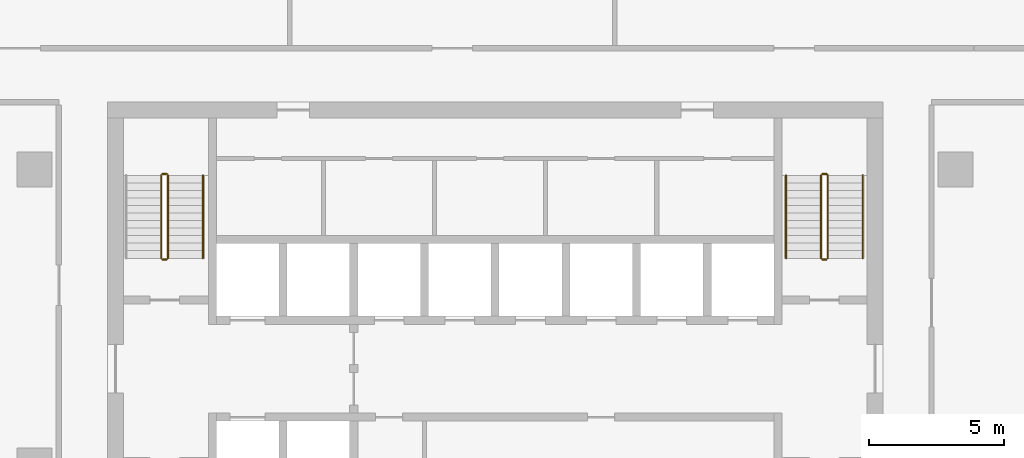
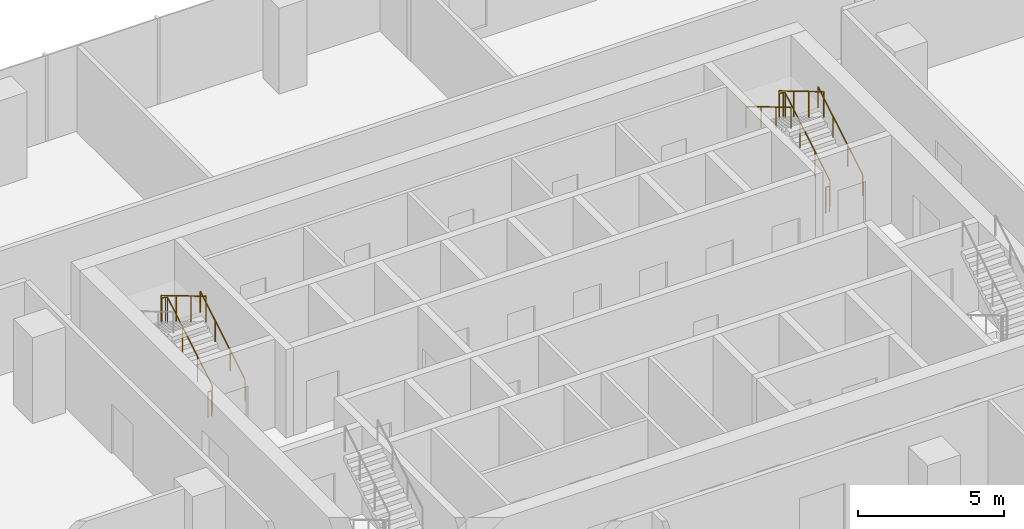
# One storey, part 13 of 14: 9 railings.
"""IFC4 building model written with IfcOpenShell, lengths in metres."""

from ifc_helpers import new_model, si_unit, direction, frame, origin, origin_2d, place, context, subcontext, project, spatial, circle, extrude, material, type_object, element, save


model = new_model("IFC4")

# Units and contexts
model_context = context("Model", 3, precision=1e-05, world=origin(), true_north=direction((0.0, 1.0)))
body_context = subcontext(model_context, "Body", "Model", "MODEL_VIEW")
ifc_project = project(units=[si_unit("LENGTHUNIT", "METRE"), si_unit("AREAUNIT", "SQUARE_METRE"), si_unit("VOLUMEUNIT", "CUBIC_METRE"), si_unit("PLANEANGLEUNIT", "RADIAN"), si_unit("MASSUNIT", "GRAM", prefix="KILO")], contexts=[model_context])

# Site, building, storey
site_placement = place(None, origin())
site = spatial("IfcSite", under=ifc_project, at=site_placement, CompositionType="ELEMENT")
building_placement = place(site_placement, origin())
building = spatial("IfcBuilding", under=site, at=building_placement, Name="Mopane Tessera Tower", CompositionType="ELEMENT")
storey_placement = place(building_placement, frame((0.0, 0.0, 239.0)))
storey = spatial("IfcBuildingStorey", under=building, at=storey_placement, Name="L51", CompositionType="ELEMENT", Elevation=239.0)

# Railings
ifc_material_1 = material(Name="Powder-coated steel balustrade", Category="steel")
railing_type_1 = type_object("IfcRailingType", Name="Escape stair guard 1100 mm", PredefinedType="GUARDRAIL", material=ifc_material_1)
railing_1_placement = place(storey_placement, frame((-12.14990234375, 7.699951171875, 0.166748046875)))
element("IfcRailing", 1, at=railing_1_placement, inside=storey, type_object=railing_type_1, Name="L51 ST2 stair guard 1", PredefinedType="GUARDRAIL", context=body_context, shape_type="SweptSolid", body=[
    extrude(circle(Radius=0.02392578125, at=origin_2d()), frame((0.0, 0.0, 1.076171875), z_axis=(0.0, 0.859308565015, 0.511457515432), x_axis=(-1.0, 0.0, 0.0)), (0.0, 0.0, 1.0), 3.58447265625),
    extrude(circle(Radius=0.02392578125, at=origin_2d()), frame((0.0, 3.080078125, 2.9091796875), z_axis=(-0.707106781187, 0.707106781187, 0.0), x_axis=(-0.707106781187, -0.707106781187, 0.0)), (0.0, 0.0, 1.0), 0.07080078125),
    extrude(circle(Radius=0.02392578125, at=origin_2d()), frame((-0.050048828125, 3.130126953125, 2.9091796875), z_axis=(-1.0, 0.0, 0.0), x_axis=(0.0, -1.0, 0.0)), (0.0, 0.0, 1.0), 0.150146484375),
    extrude(circle(Radius=0.02099609375, at=origin_2d()), origin(), (0.0, 0.0, 1.0), 1.052001953125),
    extrude(circle(Radius=0.02099609375, at=origin_2d()), frame((0.0, 1.026611328125, 0.611083984375)), (0.0, 0.0, 1.0), 1.052001953125),
    extrude(circle(Radius=0.02099609375, at=origin_2d()), frame((0.0, 2.053466796875, 1.22216796875)), (0.0, 0.0, 1.0), 1.052001953125),
    extrude(circle(Radius=0.02099609375, at=origin_2d()), frame((0.0, 3.080078125, 1.833251953125)), (0.0, 0.0, 1.0), 1.052001953125),
    extrude(circle(Radius=0.02099609375, at=origin_2d()), frame((-0.050048828125, 3.130126953125, 1.833251953125)), (0.0, 0.0, 1.0), 1.052001953125),
    extrude(circle(Radius=0.02099609375, at=origin_2d()), frame((-0.2001953125, 3.130126953125, 1.833251953125)), (0.0, 0.0, 1.0), 1.052001953125),
])
railing_2_placement = place(storey_placement, frame((-12.39990234375, 10.780029296875, 2.166748046875)))
element("IfcRailing", 2, at=railing_2_placement, inside=storey, type_object=railing_type_1, Name="L51 ST2 stair guard 2", PredefinedType="GUARDRAIL", context=body_context, shape_type="SweptSolid", body=[
    extrude(circle(Radius=0.02392578125, at=origin_2d()), frame((0.0, 0.0, 1.076171875), z_axis=(0.0, -0.859308565015, 0.511457515432), x_axis=(1.0, 0.0, 0.0)), (0.0, 0.0, 1.0), 3.58447265625),
    extrude(circle(Radius=0.02099609375, at=origin_2d()), origin(), (0.0, 0.0, 1.0), 1.052001953125),
    extrude(circle(Radius=0.02099609375, at=origin_2d()), frame((0.0, -1.026611328125, 0.611083984375)), (0.0, 0.0, 1.0), 1.052001953125),
    extrude(circle(Radius=0.02099609375, at=origin_2d()), frame((0.0, -2.053466796875, 1.22216796875)), (0.0, 0.0, 1.0), 1.052001953125),
    extrude(circle(Radius=0.02099609375, at=origin_2d()), frame((0.0, -3.080078125, 1.833251953125)), (0.0, 0.0, 1.0), 1.052001953125),
])
railing_3_placement = place(storey_placement, frame((-12.199951171875, 7.64990234375, 0.0)))
element("IfcRailing", 3, at=railing_3_placement, inside=storey, type_object=railing_type_1, Name="L51 ST2 stair guard 3", PredefinedType="GUARDRAIL", context=body_context, shape_type="SweptSolid", body=[
    extrude(circle(Radius=0.02392578125, at=origin_2d()), frame((0.0, 0.0, 1.076171875), z_axis=(-1.0, 0.0, 0.0), x_axis=(0.0, -1.0, 0.0)), (0.0, 0.0, 1.0), 0.150146484375),
    extrude(circle(Radius=0.02099609375, at=origin_2d()), origin(), (0.0, 0.0, 1.0), 1.052001953125),
    extrude(circle(Radius=0.02099609375, at=origin_2d()), frame((-0.150146484375, 0.0, 0.0)), (0.0, 0.0, 1.0), 1.052001953125),
])
railing_4_placement = place(storey_placement, frame((12.35009765625, 7.699951171875, 0.166748046875)))
element("IfcRailing", 4, at=railing_4_placement, inside=storey, type_object=railing_type_1, Name="L51 ST4 stair guard 1", PredefinedType="GUARDRAIL", context=body_context, shape_type="SweptSolid", body=[
    extrude(circle(Radius=0.02392578125, at=origin_2d()), frame((0.0, 0.0, 1.076171875), z_axis=(0.0, 0.859308565015, 0.511457515432), x_axis=(-1.0, 0.0, 0.0)), (0.0, 0.0, 1.0), 3.58447265625),
    extrude(circle(Radius=0.02392578125, at=origin_2d()), frame((0.0, 3.080078125, 2.9091796875), z_axis=(-0.707106781187, 0.707106781187, 0.0), x_axis=(-0.707106781187, -0.707106781187, 0.0)), (0.0, 0.0, 1.0), 0.07080078125),
    extrude(circle(Radius=0.02392578125, at=origin_2d()), frame((-0.050048828125, 3.130126953125, 2.9091796875), z_axis=(-1.0, 0.0, 0.0), x_axis=(0.0, -1.0, 0.0)), (0.0, 0.0, 1.0), 0.150146484375),
    extrude(circle(Radius=0.02099609375, at=origin_2d()), origin(), (0.0, 0.0, 1.0), 1.052001953125),
    extrude(circle(Radius=0.02099609375, at=origin_2d()), frame((0.0, 1.026611328125, 0.611083984375)), (0.0, 0.0, 1.0), 1.052001953125),
    extrude(circle(Radius=0.02099609375, at=origin_2d()), frame((0.0, 2.053466796875, 1.22216796875)), (0.0, 0.0, 1.0), 1.052001953125),
    extrude(circle(Radius=0.02099609375, at=origin_2d()), frame((0.0, 3.080078125, 1.833251953125)), (0.0, 0.0, 1.0), 1.052001953125),
    extrude(circle(Radius=0.02099609375, at=origin_2d()), frame((-0.050048828125, 3.130126953125, 1.833251953125)), (0.0, 0.0, 1.0), 1.052001953125),
    extrude(circle(Radius=0.02099609375, at=origin_2d()), frame((-0.2001953125, 3.130126953125, 1.833251953125)), (0.0, 0.0, 1.0), 1.052001953125),
])
railing_5_placement = place(storey_placement, frame((12.10009765625, 10.780029296875, 2.166748046875)))
element("IfcRailing", 5, at=railing_5_placement, inside=storey, type_object=railing_type_1, Name="L51 ST4 stair guard 2", PredefinedType="GUARDRAIL", context=body_context, shape_type="SweptSolid", body=[
    extrude(circle(Radius=0.02392578125, at=origin_2d()), frame((0.0, 0.0, 1.076171875), z_axis=(0.0, -0.859308565015, 0.511457515432), x_axis=(1.0, 0.0, 0.0)), (0.0, 0.0, 1.0), 3.58447265625),
    extrude(circle(Radius=0.02099609375, at=origin_2d()), origin(), (0.0, 0.0, 1.0), 1.052001953125),
    extrude(circle(Radius=0.02099609375, at=origin_2d()), frame((0.0, -1.026611328125, 0.611083984375)), (0.0, 0.0, 1.0), 1.052001953125),
    extrude(circle(Radius=0.02099609375, at=origin_2d()), frame((0.0, -2.053466796875, 1.22216796875)), (0.0, 0.0, 1.0), 1.052001953125),
    extrude(circle(Radius=0.02099609375, at=origin_2d()), frame((0.0, -3.080078125, 1.833251953125)), (0.0, 0.0, 1.0), 1.052001953125),
])
railing_6_placement = place(storey_placement, frame((12.300048828125, 7.64990234375, 0.0)))
element("IfcRailing", 6, at=railing_6_placement, inside=storey, type_object=railing_type_1, Name="L51 ST4 stair guard 3", PredefinedType="GUARDRAIL", context=body_context, shape_type="SweptSolid", body=[
    extrude(circle(Radius=0.02392578125, at=origin_2d()), frame((0.0, 0.0, 1.076171875), z_axis=(-1.0, 0.0, 0.0), x_axis=(0.0, -1.0, 0.0)), (0.0, 0.0, 1.0), 0.150146484375),
    extrude(circle(Radius=0.02099609375, at=origin_2d()), origin(), (0.0, 0.0, 1.0), 1.052001953125),
    extrude(circle(Radius=0.02099609375, at=origin_2d()), frame((-0.150146484375, 0.0, 0.0)), (0.0, 0.0, 1.0), 1.052001953125),
])
ifc_material_2 = material(Name="Powder-coated steel balustrade", Category="steel")
railing_type_2 = type_object("IfcRailingType", Name="Escape stair handrail 900 mm", PredefinedType="HANDRAIL", material=ifc_material_2)
for number, where, name in (
    (7, (-10.85009765625, 7.699951171875, 0.166748046875), "L51 ST2 stair handrail 1"),
    (8, (13.64990234375, 7.699951171875, 0.166748046875), "L51 ST4 stair handrail 1"),
):
    element("IfcRailing", number, at=place(storey_placement, frame(where)), inside=storey, type_object=railing_type_2, Name=name, PredefinedType="HANDRAIL", context=body_context, shape_type="SweptSolid", body=[
        extrude(circle(Radius=0.02392578125, at=origin_2d()), frame((0.0, 0.0, 0.8759765625), z_axis=(0.0, 0.859308565015, 0.511457515432), x_axis=(-1.0, 0.0, 0.0)), (0.0, 0.0, 1.0), 3.58447265625),
        extrude(circle(Radius=0.02099609375, at=origin_2d()), origin(), (0.0, 0.0, 1.0), 0.851806640625),
        extrude(circle(Radius=0.02099609375, at=origin_2d()), frame((0.0, 1.026611328125, 0.611083984375)), (0.0, 0.0, 1.0), 0.851806640625),
        extrude(circle(Radius=0.02099609375, at=origin_2d()), frame((0.0, 2.053466796875, 1.22216796875)), (0.0, 0.0, 1.0), 0.851806640625),
        extrude(circle(Radius=0.02099609375, at=origin_2d()), frame((0.0, 3.080078125, 1.833251953125)), (0.0, 0.0, 1.0), 0.851806640625),
    ])
railing_7_placement = place(storey_placement, frame((10.800048828125, 10.780029296875, 2.166748046875)))
element("IfcRailing", 9, at=railing_7_placement, inside=storey, type_object=railing_type_2, Name="L51 ST4 stair handrail 2", PredefinedType="HANDRAIL", context=body_context, shape_type="SweptSolid", body=[
    extrude(circle(Radius=0.02392578125, at=origin_2d()), frame((0.0, 0.0, 0.8759765625), z_axis=(0.0, -0.859308565015, 0.511457515432), x_axis=(1.0, 0.0, 0.0)), (0.0, 0.0, 1.0), 3.58447265625),
    extrude(circle(Radius=0.02099609375, at=origin_2d()), origin(), (0.0, 0.0, 1.0), 0.851806640625),
    extrude(circle(Radius=0.02099609375, at=origin_2d()), frame((0.0, -1.026611328125, 0.611083984375)), (0.0, 0.0, 1.0), 0.851806640625),
    extrude(circle(Radius=0.02099609375, at=origin_2d()), frame((0.0, -2.053466796875, 1.22216796875)), (0.0, 0.0, 1.0), 0.851806640625),
    extrude(circle(Radius=0.02099609375, at=origin_2d()), frame((0.0, -3.080078125, 1.833251953125)), (0.0, 0.0, 1.0), 0.851806640625),
])

save(model, "model.ifc")
